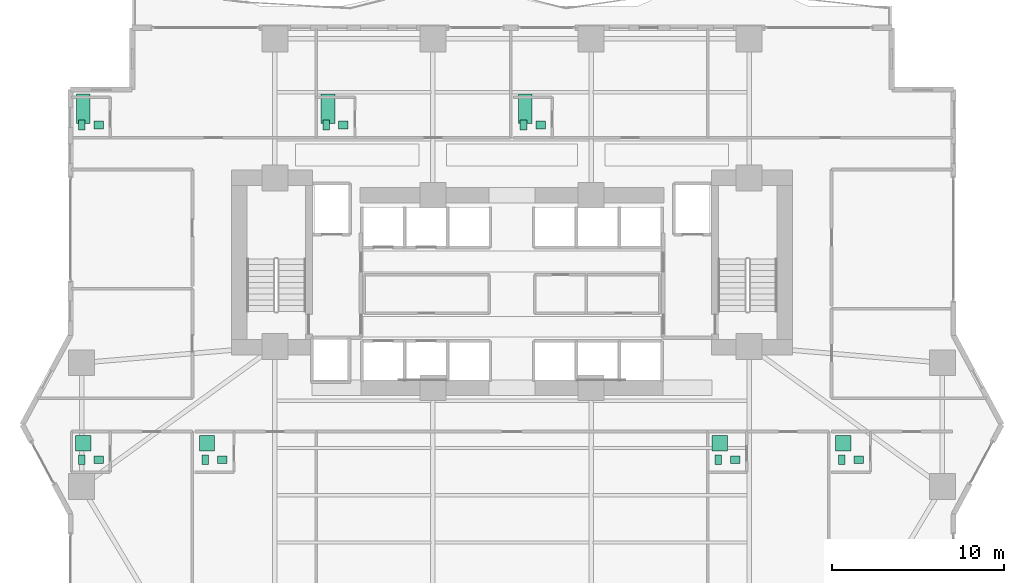
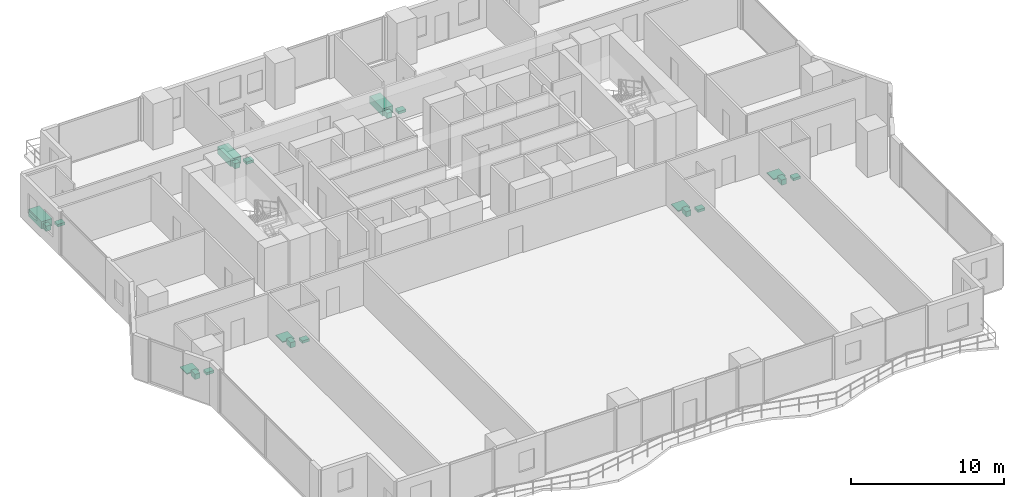
# One storey, part 28 of 28: 21 sanitary terminals.
"""IFC4 building model written with IfcOpenShell, lengths in metres."""

from ifc_helpers import new_model, si_unit, direction, frame, origin, origin_2d, place, context, subcontext, project, spatial, rectangle, extrude, material, type_object, element, save


model = new_model("IFC4")

# Units and contexts
model_context = context("Model", 3, precision=1e-05, world=origin(), true_north=direction((0.0, 1.0)))
body_context = subcontext(model_context, "Body", "Model", "MODEL_VIEW")
ifc_project = project(units=[si_unit("LENGTHUNIT", "METRE"), si_unit("AREAUNIT", "SQUARE_METRE"), si_unit("VOLUMEUNIT", "CUBIC_METRE"), si_unit("PLANEANGLEUNIT", "RADIAN"), si_unit("MASSUNIT", "GRAM", prefix="KILO")], contexts=[model_context])

# Site, building, storey
site_placement = place(None, origin())
site = spatial("IfcSite", under=ifc_project, at=site_placement, CompositionType="ELEMENT")
building_placement = place(site_placement, origin())
building = spatial("IfcBuilding", under=site, at=building_placement, Name="Zuhayl Quay Hotel", CompositionType="ELEMENT")
storey_placement = place(building_placement, frame((0.0, 0.0, 75.050048828125)))
storey = spatial("IfcBuildingStorey", under=building, at=storey_placement, Name="L18", CompositionType="ELEMENT", Elevation=75.050048828125)

# Sanitary terminals
ifc_material = material(Name="Vitreous Porcelain Sanitaryware")
sanitary_terminal_type_1 = type_object("IfcSanitaryTerminalType", Name="SAN_BASIN", PredefinedType="WASHHANDBASIN", material=ifc_material)
for number, where, z_axis, x_axis, name in (
    (1, (-24.050048828125, 17.43994140625, 0.0), (0.0, 0.0, 1.0), (1.0, 0.0, 0.0), "L18 Sanitary Fixture WASHHANDBASIN"),
    (2, (-9.81005859375, 17.43994140625, 0.0), (0.0, 0.0, 1.0), (1.0, 0.0, 0.0), "L18 Sanitary Fixture WASHHANDBASIN"),
    (3, (1.669921875, 17.43994140625, 0.0), (0.0, 0.0, 1.0), (1.0, 0.0, 0.0), "L18 Sanitary Fixture WASHHANDBASIN"),
    (4, (-24.050048828125, -2.0400390625, 0.0), (0.0, 0.0, 1.0), (1.0, 0.0, 0.0), "L18 Sanitary Fixture WASHHANDBASIN"),
    (5, (-16.85009765625, -2.0400390625, 0.0), (0.0, 0.0, 1.0), (1.0, 0.0, 0.0), "L18 Sanitary Fixture WASHHANDBASIN"),
    (6, (12.989990234375, -2.0400390625, 0.0), (0.0, 0.0, 1.0), (1.0, 0.0, 0.0), "L18 Sanitary Fixture WASHHANDBASIN"),
    (7, (20.18994140625, -2.0400390625, 0.0), (0.0, 0.0, 1.0), (1.0, 0.0, 0.0), "L18 Sanitary Fixture WASHHANDBASIN"),
):
    element("IfcSanitaryTerminal", number, at=place(storey_placement, frame(where, z_axis=z_axis, x_axis=x_axis)), inside=storey, type_object=sanitary_terminal_type_1, Name=name, PredefinedType="WASHHANDBASIN", context=body_context, shape_type="SweptSolid", body=[
        extrude(rectangle(XDim=0.550048828125, YDim=0.449951171875, at=origin_2d()), origin(), (0.0, 0.0, 1.0), 0.199951171875),
    ])
sanitary_terminal_type_2 = type_object("IfcSanitaryTerminalType", Name="SAN_BATH", PredefinedType="BATH", material=ifc_material)
for number, where, z_axis, x_axis, name in (
    (8, (-24.949951171875, 18.389892578125, 0.0), (0.0, 0.0, 1.0), (1.0, 0.0, 0.0), "L18 Sanitary Fixture BATH"),
    (9, (-10.7099609375, 18.389892578125, 0.0), (0.0, 0.0, 1.0), (1.0, 0.0, 0.0), "L18 Sanitary Fixture BATH"),
    (10, (0.77001953125, 18.389892578125, 0.0), (0.0, 0.0, 1.0), (1.0, 0.0, 0.0), "L18 Sanitary Fixture BATH"),
):
    element("IfcSanitaryTerminal", number, at=place(storey_placement, frame(where, z_axis=z_axis, x_axis=x_axis)), inside=storey, type_object=sanitary_terminal_type_2, Name=name, PredefinedType="BATH", context=body_context, shape_type="SweptSolid", body=[
        extrude(rectangle(XDim=0.800048828125, YDim=1.699951171875, at=origin_2d()), origin(), (0.0, 0.0, 1.0), 0.580078125),
    ])
sanitary_terminal_type_3 = type_object("IfcSanitaryTerminalType", Name="SAN_SHOWER", PredefinedType="SHOWER", material=ifc_material)
for number, where, z_axis, x_axis, name in (
    (11, (-24.949951171875, -1.090087890625, 0.0), (0.0, 0.0, 1.0), (1.0, 0.0, 0.0), "L18 Sanitary Fixture SHOWER"),
    (12, (-17.75, -1.090087890625, 0.0), (0.0, 0.0, 1.0), (1.0, 0.0, 0.0), "L18 Sanitary Fixture SHOWER"),
    (13, (12.090087890625, -1.090087890625, 0.0), (0.0, 0.0, 1.0), (1.0, 0.0, 0.0), "L18 Sanitary Fixture SHOWER"),
    (14, (19.2900390625, -1.090087890625, 0.0), (0.0, 0.0, 1.0), (1.0, 0.0, 0.0), "L18 Sanitary Fixture SHOWER"),
):
    element("IfcSanitaryTerminal", number, at=place(storey_placement, frame(where, z_axis=z_axis, x_axis=x_axis)), inside=storey, type_object=sanitary_terminal_type_3, Name=name, PredefinedType="SHOWER", context=body_context, shape_type="SweptSolid", body=[
        extrude(rectangle(XDim=0.89990234375, YDim=0.89990234375, at=origin_2d()), origin(), (0.0, 0.0, 1.0), 0.080078125),
    ])
sanitary_terminal_type_4 = type_object("IfcSanitaryTerminalType", Name="SAN_WC", PredefinedType="TOILETPAN", material=ifc_material)
for number, where, z_axis, x_axis, name in (
    (15, (-25.050048828125, 17.43994140625, 0.0), (0.0, 0.0, 1.0), (1.0, 0.0, 0.0), "L18 Sanitary Fixture TOILETPAN"),
    (16, (-10.81005859375, 17.43994140625, 0.0), (0.0, 0.0, 1.0), (1.0, 0.0, 0.0), "L18 Sanitary Fixture TOILETPAN"),
    (17, (0.669921875, 17.43994140625, 0.0), (0.0, 0.0, 1.0), (1.0, 0.0, 0.0), "L18 Sanitary Fixture TOILETPAN"),
    (18, (-25.050048828125, -2.0400390625, 0.0), (0.0, 0.0, 1.0), (1.0, 0.0, 0.0), "L18 Sanitary Fixture TOILETPAN"),
    (19, (-17.85009765625, -2.0400390625, 0.0), (0.0, 0.0, 1.0), (1.0, 0.0, 0.0), "L18 Sanitary Fixture TOILETPAN"),
    (20, (11.989990234375, -2.0400390625, 0.0), (0.0, 0.0, 1.0), (1.0, 0.0, 0.0), "L18 Sanitary Fixture TOILETPAN"),
    (21, (19.18994140625, -2.0400390625, 0.0), (0.0, 0.0, 1.0), (1.0, 0.0, 0.0), "L18 Sanitary Fixture TOILETPAN"),
):
    element("IfcSanitaryTerminal", number, at=place(storey_placement, frame(where, z_axis=z_axis, x_axis=x_axis)), inside=storey, type_object=sanitary_terminal_type_4, Name=name, PredefinedType="TOILETPAN", context=body_context, shape_type="SweptSolid", body=[
        extrude(rectangle(XDim=0.3798828125, YDim=0.56005859375, at=origin_2d()), origin(), (0.0, 0.0, 1.0), 0.419921875),
    ])

save(model, "model.ifc")
